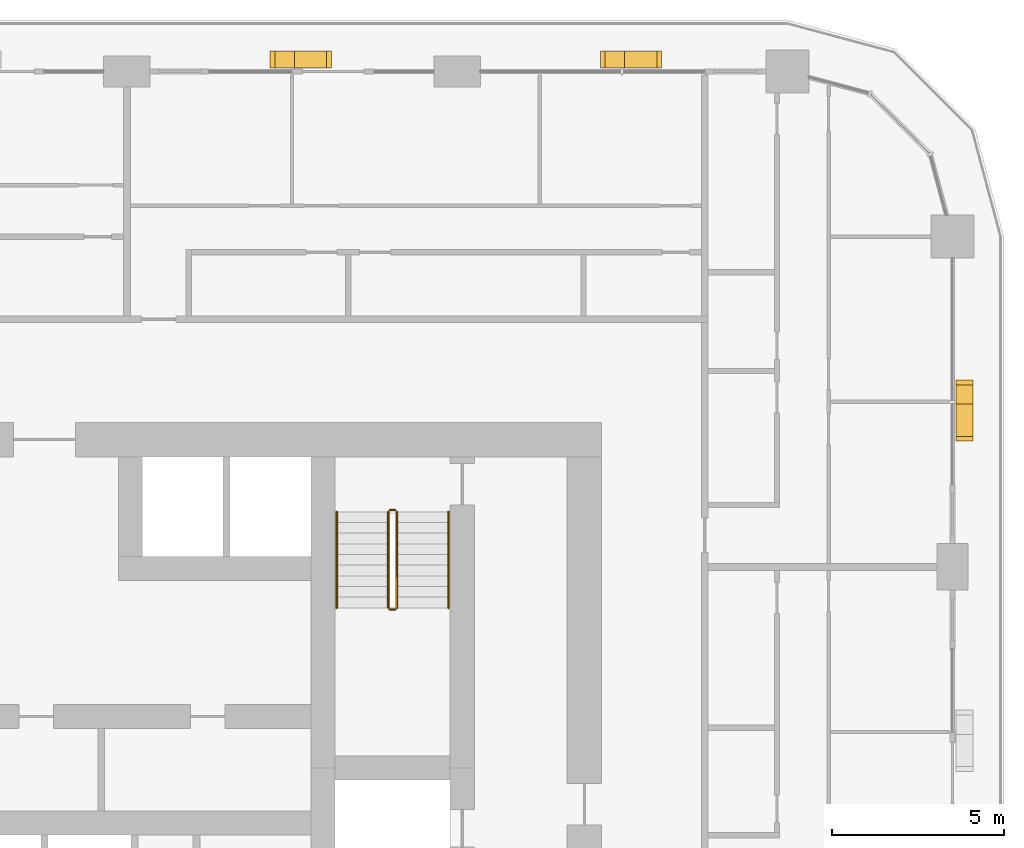
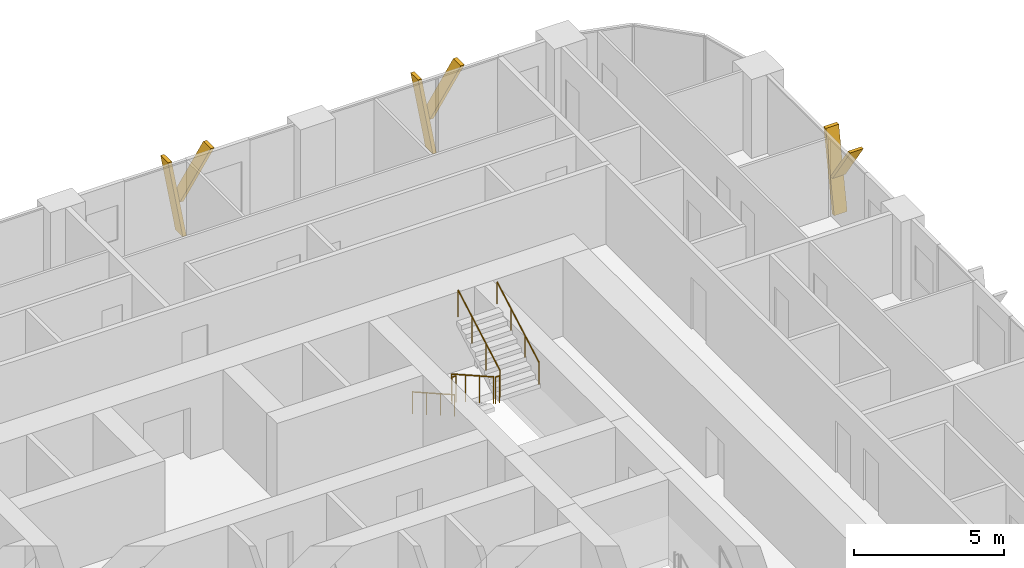
# One storey, part 21 of 21: 6 railings, 6 shading devices.
"""IFC4 building model written with IfcOpenShell, lengths in metres."""

from ifc_helpers import new_model, si_unit, direction, frame, origin, origin_2d, place, context, subcontext, project, spatial, polyline, circle, outline, extrude, material, type_object, element, save


model = new_model("IFC4")

# Units and contexts
model_context = context("Model", 3, precision=1e-05, world=origin(), true_north=direction((0.0, 1.0)))
body_context = subcontext(model_context, "Body", "Model", "MODEL_VIEW")
ifc_project = project(units=[si_unit("LENGTHUNIT", "METRE"), si_unit("AREAUNIT", "SQUARE_METRE"), si_unit("VOLUMEUNIT", "CUBIC_METRE"), si_unit("PLANEANGLEUNIT", "RADIAN"), si_unit("MASSUNIT", "GRAM", prefix="KILO")], contexts=[model_context])

# Site, building, storey
site_placement = place(None, origin())
site = spatial("IfcSite", under=ifc_project, at=site_placement, CompositionType="ELEMENT")
building_placement = place(site_placement, origin())
building = spatial("IfcBuilding", under=site, at=building_placement, Name="Madar Terraces", CompositionType="ELEMENT")
storey_placement = place(building_placement, frame((0.0, 0.0, 43.39990234375)))
storey = spatial("IfcBuildingStorey", under=building, at=storey_placement, Name="L10", CompositionType="ELEMENT", Elevation=43.39990234375)

# Shading devices
ifc_material_1 = material(Name="Aluminium, black anodised", Category="aluminium")
shading_device_type = type_object("IfcShadingDeviceType", Name="Facade fin blade 140 x 500", PredefinedType="USERDEFINED", material=ifc_material_1)
shading_device_1_placement = place(storey_placement, frame((57.949951171875, 38.330078125, 0.0), z_axis=(0.0, 0.0, 1.0), x_axis=(0.0, 1.0, 0.0)))
element("IfcShadingDevice", 1, at=shading_device_1_placement, inside=storey, type_object=shading_device_type, Name="FIN L10 E4", ObjectType="FIN", PredefinedType="USERDEFINED", context=body_context, shape_type="SweptSolid", body=[
    extrude(outline(polyline([(0.0, 0.0), (0.139892578125, 0.0), (0.704345703125, 3.2001953125), (0.564208984375, 3.2001953125), (0.0, 0.0)])), frame((0.0, 0.25, 0.0), z_axis=(0.0, -1.0, 0.0), x_axis=(1.0, 0.0, 0.0)), (0.0, 0.0, 1.0), 0.5),
])
shading_device_2_placement = place(storey_placement, frame((57.949951171875, 38.44384765625, 1.440185546875), z_axis=(0.0, 0.0, 1.0), x_axis=(0.0, 1.0, 0.0)))
element("IfcShadingDevice", 2, at=shading_device_2_placement, inside=storey, type_object=shading_device_type, Name="FIN L10 E4 branch", ObjectType="FIN", PredefinedType="USERDEFINED", context=body_context, shape_type="SweptSolid", body=[
    extrude(outline(polyline([(0.0, 0.0), (0.14013671875, 0.0), (-1.049560546875, 1.760009765625), (-1.189697265625, 1.760009765625), (0.0, 0.0)])), frame((0.0, 0.25, 0.0), z_axis=(0.0, -1.0, 0.0), x_axis=(1.0, 0.0, 0.0)), (0.0, 0.0, 1.0), 0.5),
])
shading_device_3_placement = place(storey_placement, frame((48.070068359375, 48.35009765625, 0.0), z_axis=(0.0, 0.0, 1.0), x_axis=(-1.0, 0.0, 0.0)))
element("IfcShadingDevice", 3, at=shading_device_3_placement, inside=storey, type_object=shading_device_type, Name="FIN L10 N1", ObjectType="FIN", PredefinedType="USERDEFINED", context=body_context, shape_type="SweptSolid", body=[
    extrude(outline(polyline([(0.0, 0.0), (0.14013671875, 0.0), (0.704345703125, 3.2001953125), (0.564208984375, 3.2001953125), (0.0, 0.0)])), frame((0.0, 0.25, 0.0), z_axis=(0.0, -1.0, 0.0), x_axis=(1.0, 0.0, 0.0)), (0.0, 0.0, 1.0), 0.5),
])
shading_device_4_placement = place(storey_placement, frame((47.9560546875, 48.35009765625, 1.440185546875), z_axis=(0.0, 0.0, 1.0), x_axis=(-1.0, 0.0, 0.0)))
element("IfcShadingDevice", 4, at=shading_device_4_placement, inside=storey, type_object=shading_device_type, Name="FIN L10 N1 branch", ObjectType="FIN", PredefinedType="USERDEFINED", context=body_context, shape_type="SweptSolid", body=[
    extrude(outline(polyline([(0.0, 0.0), (0.139892578125, 0.0), (-1.049560546875, 1.760009765625), (-1.189697265625, 1.760009765625), (0.0, 0.0)])), frame((0.0, 0.25, 0.0), z_axis=(0.0, -1.0, 0.0), x_axis=(1.0, 0.0, 0.0)), (0.0, 0.0, 1.0), 0.5),
])
shading_device_5_placement = place(storey_placement, frame((38.469970703125, 48.35009765625, 0.0), z_axis=(0.0, 0.0, 1.0), x_axis=(-1.0, 0.0, 0.0)))
element("IfcShadingDevice", 5, at=shading_device_5_placement, inside=storey, type_object=shading_device_type, Name="FIN L10 N2", ObjectType="FIN", PredefinedType="USERDEFINED", context=body_context, shape_type="SweptSolid", body=[
    extrude(outline(polyline([(0.0, 0.0), (0.139892578125, 0.0), (0.704345703125, 3.2001953125), (0.564208984375, 3.2001953125), (0.0, 0.0)])), frame((0.0, 0.25, 0.0), z_axis=(0.0, -1.0, 0.0), x_axis=(1.0, 0.0, 0.0)), (0.0, 0.0, 1.0), 0.5),
])
shading_device_6_placement = place(storey_placement, frame((38.356201171875, 48.35009765625, 1.440185546875), z_axis=(0.0, 0.0, 1.0), x_axis=(-1.0, 0.0, 0.0)))
element("IfcShadingDevice", 6, at=shading_device_6_placement, inside=storey, type_object=shading_device_type, Name="FIN L10 N2 branch", ObjectType="FIN", PredefinedType="USERDEFINED", context=body_context, shape_type="SweptSolid", body=[
    extrude(outline(polyline([(0.0, 0.0), (0.14013671875, 0.0), (-1.049560546875, 1.760009765625), (-1.189697265625, 1.760009765625), (0.0, 0.0)])), frame((0.0, 0.25, 0.0), z_axis=(0.0, -1.0, 0.0), x_axis=(1.0, 0.0, 0.0)), (0.0, 0.0, 1.0), 0.5),
])

# Railings
ifc_material_2 = material(Name="Stainless steel railing", Category="steel")
railing_type_1 = type_object("IfcRailingType", Name="Stair guard 1100", PredefinedType="GUARDRAIL", material=ifc_material_2)
railing_1_placement = place(storey_placement, frame((41.199951171875, 35.199951171875, 0.175048828125)))
element("IfcRailing", 7, at=railing_1_placement, inside=storey, type_object=railing_type_1, Name="L10 ST2 stair guard 1", PredefinedType="GUARDRAIL", context=body_context, shape_type="SweptSolid", body=[
    extrude(circle(Radius=0.02392578125, at=origin_2d()), frame((0.0, 0.0, 1.076171875), z_axis=(0.0, -0.870833779661, 0.491577591232), x_axis=(1.0, 0.0, 0.0)), (0.0, 0.0, 1.0), 3.203857421875),
    extrude(circle(Radius=0.02099609375, at=origin_2d()), origin(), (0.0, 0.0, 1.0), 1.052001953125),
    extrude(circle(Radius=0.02099609375, at=origin_2d()), frame((0.0, -0.929931640625, 0.52490234375)), (0.0, 0.0, 1.0), 1.052001953125),
    extrude(circle(Radius=0.02099609375, at=origin_2d()), frame((0.0, -1.860107421875, 1.050048828125)), (0.0, 0.0, 1.0), 1.052001953125),
    extrude(circle(Radius=0.02099609375, at=origin_2d()), frame((0.0, -2.7900390625, 1.574951171875)), (0.0, 0.0, 1.0), 1.052001953125),
])
railing_2_placement = place(storey_placement, frame((41.25, 32.360107421875, 1.75)))
element("IfcRailing", 8, at=railing_2_placement, inside=storey, type_object=railing_type_1, Name="L10 ST2 stair guard 2", PredefinedType="GUARDRAIL", context=body_context, shape_type="SweptSolid", body=[
    extrude(circle(Radius=0.02392578125, at=origin_2d()), frame((0.0, 0.0, 1.076171875), z_axis=(1.0, 0.0, 0.0), x_axis=(0.0, 1.0, 0.0)), (0.0, 0.0, 1.0), 0.14990234375),
    extrude(circle(Radius=0.02099609375, at=origin_2d()), origin(), (0.0, 0.0, 1.0), 1.052001953125),
    extrude(circle(Radius=0.02099609375, at=origin_2d()), frame((0.14990234375, 0.0, 0.0)), (0.0, 0.0, 1.0), 1.052001953125),
])
railing_3_placement = place(storey_placement, frame((41.449951171875, 32.409912109375, 1.925048828125)))
element("IfcRailing", 9, at=railing_3_placement, inside=storey, type_object=railing_type_1, Name="L10 ST2 stair guard 3", PredefinedType="GUARDRAIL", context=body_context, shape_type="SweptSolid", body=[
    extrude(circle(Radius=0.02392578125, at=origin_2d()), frame((0.0, 0.0, 1.076171875), z_axis=(0.0, 0.870833779661, 0.491577591232), x_axis=(-1.0, 0.0, 0.0)), (0.0, 0.0, 1.0), 3.203857421875),
    extrude(circle(Radius=0.02099609375, at=origin_2d()), origin(), (0.0, 0.0, 1.0), 1.052001953125),
    extrude(circle(Radius=0.02099609375, at=origin_2d()), frame((0.0, 0.929931640625, 0.52490234375)), (0.0, 0.0, 1.0), 1.052001953125),
    extrude(circle(Radius=0.02099609375, at=origin_2d()), frame((0.0, 1.860107421875, 1.050048828125)), (0.0, 0.0, 1.0), 1.052001953125),
    extrude(circle(Radius=0.02099609375, at=origin_2d()), frame((0.0, 2.7900390625, 1.574951171875)), (0.0, 0.0, 1.0), 1.052001953125),
])
railing_4_placement = place(storey_placement, frame((41.25, 35.25, 0.0)))
element("IfcRailing", 10, at=railing_4_placement, inside=storey, type_object=railing_type_1, Name="L10 ST2 stair guard 4", PredefinedType="GUARDRAIL", context=body_context, shape_type="SweptSolid", body=[
    extrude(circle(Radius=0.02392578125, at=origin_2d()), frame((0.0, 0.0, 1.076171875), z_axis=(1.0, 0.0, 0.0), x_axis=(0.0, 1.0, 0.0)), (0.0, 0.0, 1.0), 0.14990234375),
    extrude(circle(Radius=0.02099609375, at=origin_2d()), origin(), (0.0, 0.0, 1.0), 1.052001953125),
    extrude(circle(Radius=0.02099609375, at=origin_2d()), frame((0.14990234375, 0.0, 0.0)), (0.0, 0.0, 1.0), 1.052001953125),
])
ifc_material_3 = material(Name="Stainless steel railing", Category="steel")
railing_type_2 = type_object("IfcRailingType", Name="Stair handrail 900", PredefinedType="HANDRAIL", material=ifc_material_3)
railing_5_placement = place(storey_placement, frame((39.699951171875, 35.199951171875, 0.175048828125)))
element("IfcRailing", 11, at=railing_5_placement, inside=storey, type_object=railing_type_2, Name="L10 ST2 stair handrail 1", PredefinedType="HANDRAIL", context=body_context, shape_type="SweptSolid", body=[
    extrude(circle(Radius=0.02392578125, at=origin_2d()), frame((0.0, 0.0, 0.8759765625), z_axis=(0.0, -0.870833779661, 0.491577591232), x_axis=(1.0, 0.0, 0.0)), (0.0, 0.0, 1.0), 3.203857421875),
    extrude(circle(Radius=0.02099609375, at=origin_2d()), origin(), (0.0, 0.0, 1.0), 0.851806640625),
    extrude(circle(Radius=0.02099609375, at=origin_2d()), frame((0.0, -0.929931640625, 0.52490234375)), (0.0, 0.0, 1.0), 0.851806640625),
    extrude(circle(Radius=0.02099609375, at=origin_2d()), frame((0.0, -1.860107421875, 1.050048828125)), (0.0, 0.0, 1.0), 0.851806640625),
    extrude(circle(Radius=0.02099609375, at=origin_2d()), frame((0.0, -2.7900390625, 1.574951171875)), (0.0, 0.0, 1.0), 0.851806640625),
])
railing_6_placement = place(storey_placement, frame((42.949951171875, 32.409912109375, 1.925048828125)))
element("IfcRailing", 12, at=railing_6_placement, inside=storey, type_object=railing_type_2, Name="L10 ST2 stair handrail 2", PredefinedType="HANDRAIL", context=body_context, shape_type="SweptSolid", body=[
    extrude(circle(Radius=0.02392578125, at=origin_2d()), frame((0.0, 0.0, 0.8759765625), z_axis=(0.0, 0.870833779661, 0.491577591232), x_axis=(-1.0, 0.0, 0.0)), (0.0, 0.0, 1.0), 3.203857421875),
    extrude(circle(Radius=0.02099609375, at=origin_2d()), origin(), (0.0, 0.0, 1.0), 0.851806640625),
    extrude(circle(Radius=0.02099609375, at=origin_2d()), frame((0.0, 0.929931640625, 0.52490234375)), (0.0, 0.0, 1.0), 0.851806640625),
    extrude(circle(Radius=0.02099609375, at=origin_2d()), frame((0.0, 1.860107421875, 1.050048828125)), (0.0, 0.0, 1.0), 0.851806640625),
    extrude(circle(Radius=0.02099609375, at=origin_2d()), frame((0.0, 2.7900390625, 1.574951171875)), (0.0, 0.0, 1.0), 0.851806640625),
])

save(model, "model.ifc")
